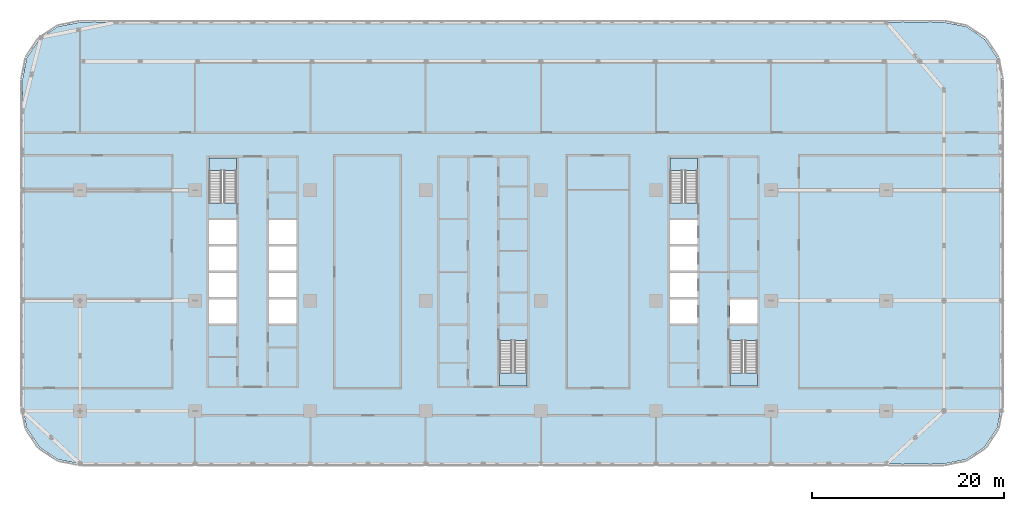
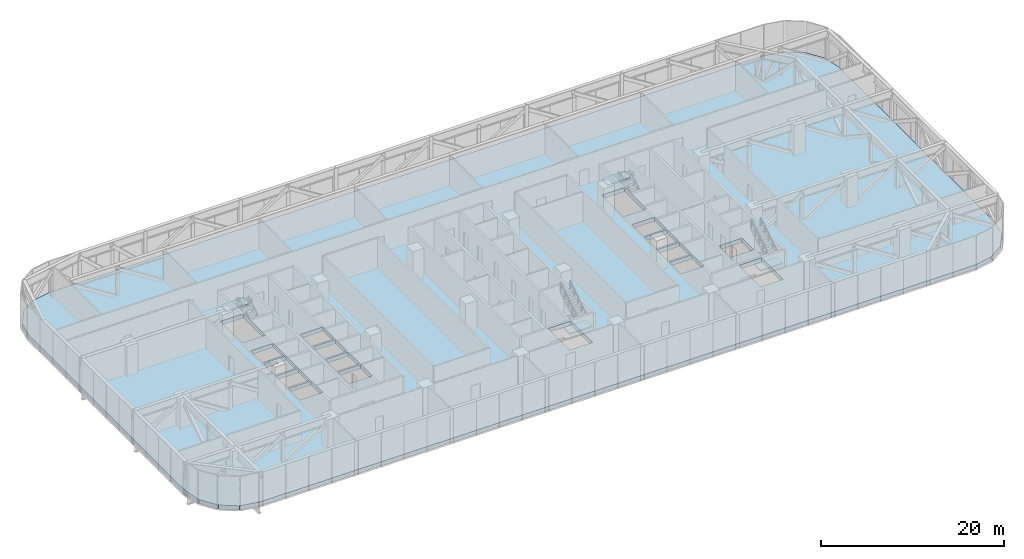
# One storey, part 8 of 26: 5 slabs, 4 elements without a shape of their own.
"""IFC4 building model written with IfcOpenShell, lengths in metres."""

from ifc_helpers import new_model, si_unit, direction, frame, origin, place, context, subcontext, project, spatial, polyline, outline, extrude, material, layer, layer_set, type_object, element, aggregate, save


model = new_model("IFC4")

# Units and contexts
model_context = context("Model", 3, precision=1e-05, world=origin(), true_north=direction((0.0, 1.0)))
body_context = subcontext(model_context, "Body", "Model", "MODEL_VIEW")
ifc_project = project(units=[si_unit("LENGTHUNIT", "METRE"), si_unit("AREAUNIT", "SQUARE_METRE"), si_unit("VOLUMEUNIT", "CUBIC_METRE"), si_unit("PLANEANGLEUNIT", "RADIAN"), si_unit("MASSUNIT", "GRAM", prefix="KILO")], contexts=[model_context])

# Site, building, storey
site_placement = place(None, origin())
site = spatial("IfcSite", under=ifc_project, at=site_placement, CompositionType="ELEMENT")
building_placement = place(site_placement, origin())
building = spatial("IfcBuilding", under=site, at=building_placement, Name="Mahtab Terrace Research Tower", CompositionType="ELEMENT")
storey_placement = place(building_placement, frame((0.0, 0.0, 117.60009765625)))
storey = spatial("IfcBuildingStorey", under=building, at=storey_placement, Name="L27", CompositionType="ELEMENT", Elevation=117.60009765625)

# Stair, slab
ifc_material_1 = material(Name="Exit stair half-turn")
stair_type = type_object("IfcStairType", Name="Exit stair half-turn", PredefinedType="HALF_TURN_STAIR", material=ifc_material_1)
stair_1_placement = place(storey_placement, origin())
stair_1 = element("IfcStair", 1, at=stair_1_placement, inside=storey, type_object=stair_type, Name="L27 Protected exit stair ST1", PredefinedType="HALF_TURN_STAIR")
ifc_material_2 = material(Name="Concrete C40/50", Category="concrete")
ifc_layer_1 = layer(ifc_material_2, 0.199951171875)
ifc_layer_set_1 = layer_set([ifc_layer_1], Name="Exit stair landing 200")
slab_type_1 = type_object("IfcSlabType", Name="Exit stair landing 200", PredefinedType="LANDING", material=ifc_layer_set_1)
slab_1_placement = place(storey_placement, frame((0.0, 0.0, 2.0)))
slab_1 = element("IfcSlab", 2, at=slab_1_placement, type_object=slab_type_1, Name="ST1 landing 1", PredefinedType="LANDING", context=body_context, shape_type="SweptSolid", body=[
    extrude(outline(polyline([(-25.699951171875, 13.534912109375), (-25.699951171875, 14.875), (-28.550048828125, 14.875), (-28.550048828125, 13.534912109375), (-25.699951171875, 13.534912109375)])), origin(), (0.0, 0.0, 1.0), 0.199951171875),
])
aggregate(stair_1, [slab_1])

stair_2_placement = place(storey_placement, origin())
stair_2 = element("IfcStair", 3, at=stair_2_placement, inside=storey, type_object=stair_type, Name="L27 Protected exit stair ST2", PredefinedType="HALF_TURN_STAIR")
slab_2_placement = place(storey_placement, frame((0.0, 0.0, 2.0)))
slab_2 = element("IfcSlab", 4, at=slab_2_placement, type_object=slab_type_1, Name="ST2 landing 1", PredefinedType="LANDING", context=body_context, shape_type="SweptSolid", body=[
    extrude(outline(polyline([(1.699951171875, -7.534912109375), (1.699951171875, -8.875), (4.550048828125, -8.875), (4.550048828125, -7.534912109375), (1.699951171875, -7.534912109375)])), origin(), (0.0, 0.0, 1.0), 0.199951171875),
])
aggregate(stair_2, [slab_2])

stair_3_placement = place(storey_placement, origin())
stair_3 = element("IfcStair", 5, at=stair_3_placement, inside=storey, type_object=stair_type, Name="L27 Protected exit stair ST3", PredefinedType="HALF_TURN_STAIR")
slab_3_placement = place(storey_placement, frame((0.0, 0.0, 2.0)))
slab_3 = element("IfcSlab", 6, at=slab_3_placement, type_object=slab_type_1, Name="ST3 landing 1", PredefinedType="LANDING", context=body_context, shape_type="SweptSolid", body=[
    extrude(outline(polyline([(22.300048828125, 13.534912109375), (22.300048828125, 14.875), (19.449951171875, 14.875), (19.449951171875, 13.534912109375), (22.300048828125, 13.534912109375)])), origin(), (0.0, 0.0, 1.0), 0.199951171875),
])
aggregate(stair_3, [slab_3])

stair_4_placement = place(storey_placement, origin())
stair_4 = element("IfcStair", 7, at=stair_4_placement, inside=storey, type_object=stair_type, Name="L27 Protected exit stair ST4", PredefinedType="HALF_TURN_STAIR")
slab_4_placement = place(storey_placement, frame((0.0, 0.0, 2.0)))
slab_4 = element("IfcSlab", 8, at=slab_4_placement, type_object=slab_type_1, Name="ST4 landing 1", PredefinedType="LANDING", context=body_context, shape_type="SweptSolid", body=[
    extrude(outline(polyline([(25.699951171875, -7.534912109375), (25.699951171875, -8.875), (28.550048828125, -8.875), (28.550048828125, -7.534912109375), (25.699951171875, -7.534912109375)])), origin(), (0.0, 0.0, 1.0), 0.199951171875),
])
aggregate(stair_4, [slab_4])

# Slab
ifc_layer_2 = layer(ifc_material_2, 0.550048828125)
ifc_layer_set_2 = layer_set([ifc_layer_2], Name="PT transfer slab 550")
slab_type_2 = type_object("IfcSlabType", Name="PT transfer slab 550", PredefinedType="FLOOR", material=ifc_layer_set_2)
slab_5_placement = place(storey_placement, frame((0.0, 0.0, -0.550048828125)))
element("IfcSlab", 9, at=slab_5_placement, inside=storey, type_object=slab_type_2, Name="Floor slab L27", PredefinedType="FLOOR", context=body_context, shape_type="SweptSolid", body=[
    extrude(outline(polyline([(42.0, -17.0), (48.0, -17.0), (50.2958984375, -16.54296875), (52.242919921875, -15.242919921875), (53.54296875, -13.2958984375), (54.0, -11.0), (54.0, 23.0), (53.54296875, 25.2958984375), (52.242919921875, 27.242919921875), (50.2958984375, 28.54296875), (48.0, 29.0), (42.0, 29.0), (-36.0, 29.0), (-42.0, 29.0), (-44.2958984375, 28.54296875), (-46.242919921875, 27.242919921875), (-47.54296875, 25.2958984375), (-48.0, 23.0), (-48.0, -11.0), (-47.54296875, -13.2958984375), (-46.242919921875, -15.242919921875), (-44.2958984375, -16.54296875), (-42.0, -17.0), (-36.0, -17.0), (42.0, -17.0)]), holes=[polyline([(-28.550048828125, -2.375), (-28.550048828125, 0.125), (-25.699951171875, 0.125), (-25.699951171875, -2.375), (-28.550048828125, -2.375)]), polyline([(-22.300048828125, -2.375), (-22.300048828125, 0.125), (-19.449951171875, 0.125), (-19.449951171875, -2.375), (-22.300048828125, -2.375)]), polyline([(-28.550048828125, 0.375), (-28.550048828125, 2.875), (-25.699951171875, 2.875), (-25.699951171875, 0.375), (-28.550048828125, 0.375)]), polyline([(-22.300048828125, 0.375), (-22.300048828125, 2.875), (-19.449951171875, 2.875), (-19.449951171875, 0.375), (-22.300048828125, 0.375)]), polyline([(-28.550048828125, 3.125), (-28.550048828125, 5.625), (-25.699951171875, 5.625), (-25.699951171875, 3.125), (-28.550048828125, 3.125)]), polyline([(-22.300048828125, 3.125), (-22.300048828125, 5.625), (-19.449951171875, 5.625), (-19.449951171875, 3.125), (-22.300048828125, 3.125)]), polyline([(-28.550048828125, 5.875), (-28.550048828125, 8.375), (-25.699951171875, 8.375), (-25.699951171875, 5.875), (-28.550048828125, 5.875)]), polyline([(-22.300048828125, 5.875), (-22.300048828125, 8.375), (-19.449951171875, 8.375), (-19.449951171875, 5.875), (-22.300048828125, 5.875)]), polyline([(-28.550048828125, 10.177001953125), (-28.550048828125, 14.875), (-25.699951171875, 14.875), (-25.699951171875, 10.177001953125), (-28.550048828125, 10.177001953125)]), polyline([(1.699951171875, -8.875), (1.699951171875, -4.177001953125), (4.550048828125, -4.177001953125), (4.550048828125, -8.875), (1.699951171875, -8.875)]), polyline([(25.699951171875, -8.875), (25.699951171875, -4.177001953125), (28.550048828125, -4.177001953125), (28.550048828125, -8.875), (25.699951171875, -8.875)]), polyline([(19.449951171875, -2.375), (19.449951171875, 0.125), (22.300048828125, 0.125), (22.300048828125, -2.375), (19.449951171875, -2.375)]), polyline([(25.699951171875, -2.375), (25.699951171875, 0.125), (28.550048828125, 0.125), (28.550048828125, -2.375), (25.699951171875, -2.375)]), polyline([(19.449951171875, 0.375), (19.449951171875, 2.875), (22.300048828125, 2.875), (22.300048828125, 0.375), (19.449951171875, 0.375)]), polyline([(19.449951171875, 3.125), (19.449951171875, 5.625), (22.300048828125, 5.625), (22.300048828125, 3.125), (19.449951171875, 3.125)]), polyline([(19.449951171875, 8.375), (22.300048828125, 8.375), (22.300048828125, 5.875), (19.449951171875, 5.875), (19.449951171875, 8.375)]), polyline([(19.449951171875, 14.875), (22.300048828125, 14.875), (22.300048828125, 10.177001953125), (19.449951171875, 10.177001953125), (19.449951171875, 14.875)])]), origin(), (0.0, 0.0, 1.0), 0.550048828125),
])

save(model, "model.ifc")
